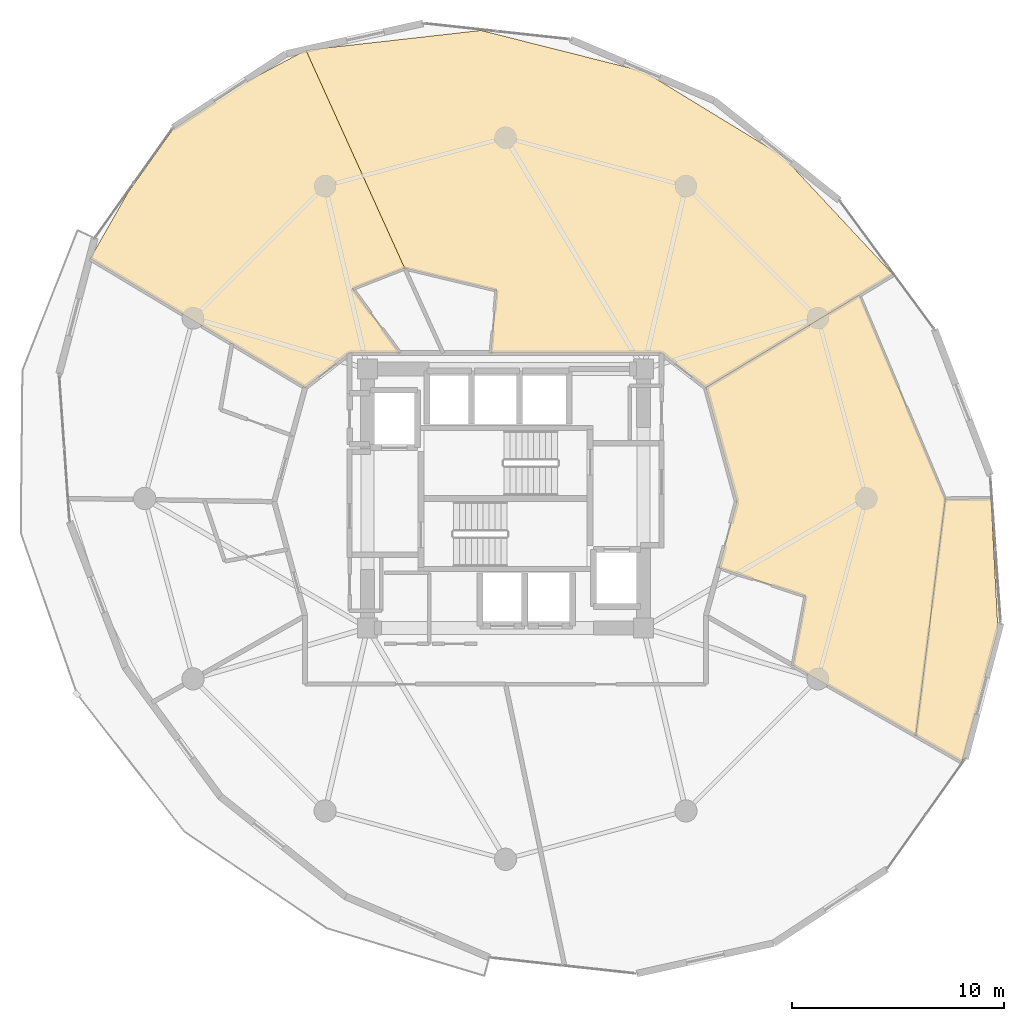
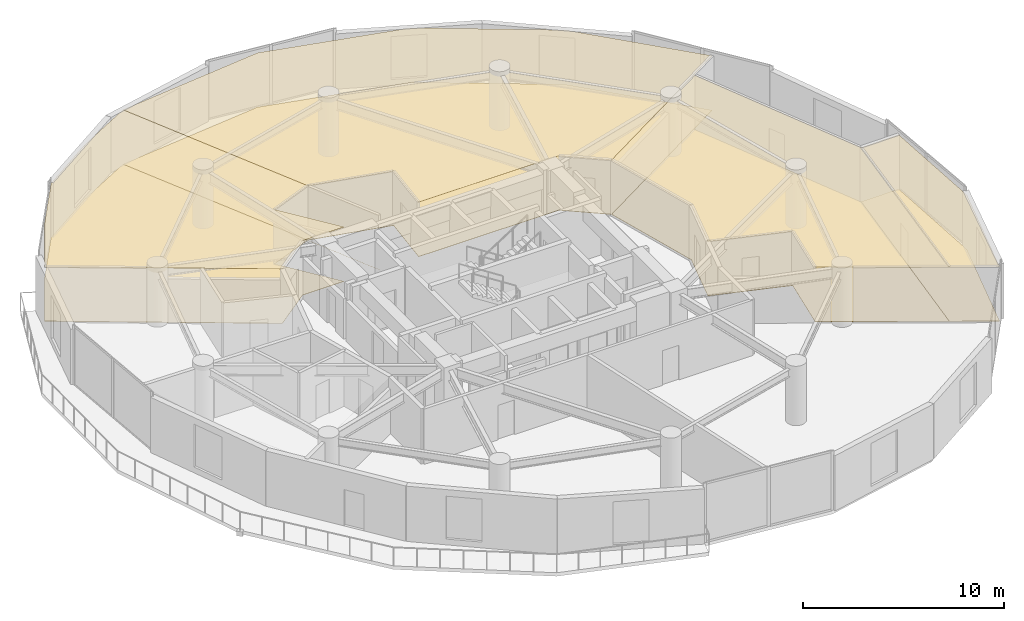
# One storey, part 22 of 22: 8 coverings.
"""IFC4 building model written with IfcOpenShell, lengths in metres."""

from ifc_helpers import new_model, si_unit, direction, frame, origin, place, context, subcontext, project, spatial, polyline, outline, extrude, material, layer, layer_set, type_object, element, save


model = new_model("IFC4")

# Units and contexts
model_context = context("Model", 3, precision=1e-05, world=origin(), true_north=direction((0.0, 1.0)))
body_context = subcontext(model_context, "Body", "Model", "MODEL_VIEW")
ifc_project = project(units=[si_unit("LENGTHUNIT", "METRE"), si_unit("AREAUNIT", "SQUARE_METRE"), si_unit("VOLUMEUNIT", "CUBIC_METRE"), si_unit("PLANEANGLEUNIT", "RADIAN"), si_unit("MASSUNIT", "GRAM", prefix="KILO")], contexts=[model_context])

# Site, building, storey
site_placement = place(None, origin())
site = spatial("IfcSite", under=ifc_project, at=site_placement, CompositionType="ELEMENT")
building_placement = place(site_placement, origin())
building = spatial("IfcBuilding", under=site, at=building_placement, Name="Solvirekh Grand Hotel", CompositionType="ELEMENT")
storey_placement = place(building_placement, frame((0.0, 0.0, 149.39990234375)))
storey = spatial("IfcBuildingStorey", under=building, at=storey_placement, Name="L38", CompositionType="ELEMENT", Elevation=149.39990234375)

# Coverings
ifc_material_1 = material(Name="Acoustic Mineral Ceiling Tile")
ifc_layer_1 = layer(ifc_material_1, 0.02490234375)
ifc_layer_set_1 = layer_set([ifc_layer_1], Name="Acoustic Mineral Ceiling Tile")
covering_type_1 = type_object("IfcCoveringType", Name="Cov_Ceiling_Acoustic", PredefinedType="CEILING", material=ifc_layer_set_1)
covering_1_placement = place(storey_placement, frame((0.0, 0.0, 3.300048828125)))
element("IfcCovering", 1, at=covering_1_placement, inside=storey, type_object=covering_type_1, Name="L38 Panorama Suite 4001 acoustic ceiling", PredefinedType="CEILING", context=body_context, shape_type="SweptSolid", body=[
    extrude(outline(polyline([(-4.75, 10.845947265625), (-0.41796875, 9.81005859375), (-0.68994140625, 6.85009765625), (7.35009765625, 6.85009765625), (9.43994140625, 5.22509765625), (18.26611328125, 10.5458984375), (13.06005859375, 16.126953125), (6.534912109375, 20.112060546875), (-1.156005859375, 22.051025390625), (-9.404052734375, 21.12109375), (-4.75, 10.845947265625)])), origin(), (0.0, 0.0, 1.0), 0.01806640625),
])
covering_2_placement = place(storey_placement, frame((0.0, 0.0, 3.300048828125)))
element("IfcCovering", 2, at=covering_2_placement, inside=storey, type_object=covering_type_1, Name="L38 Deluxe Guestroom 4002 acoustic ceiling", PredefinedType="CEILING", context=body_context, shape_type="SweptSolid", body=[
    extrude(outline(polyline([(-4.968994140625, 6.85009765625), (-7.20703125, 9.883056640625), (-4.75, 10.845947265625), (-2.93994140625, 6.85009765625), (-9.404052734375, 21.12109375), (-12.611083984375, 19.419921875), (-15.6689453125, 17.402099609375), (-17.7919921875, 14.406982421875), (-19.570068359375, 11.299072265625), (-9.43994140625, 5.22509765625), (-7.35009765625, 6.85009765625), (-4.968994140625, 6.85009765625)])), origin(), (0.0, 0.0, 1.0), 0.01806640625),
])
covering_3_placement = place(storey_placement, frame((0.0, 0.0, 3.300048828125)))
element("IfcCovering", 3, at=covering_3_placement, inside=storey, type_object=covering_type_1, Name="L38 Executive Suite 4005 Living Room acoustic ceiling", PredefinedType="CEILING", context=body_context, shape_type="SweptSolid", body=[
    extrude(outline(polyline([(14.14208984375, -4.60498046875), (13.5419921875, -7.867919921875), (19.33203125, -11.176025390625), (20.719970703125, -0.027099609375), (16.677001953125, 9.587890625), (9.43994140625, 5.22509765625), (10.89990234375, -0.14990234375), (10.052978515625, -3.26806640625), (14.14208984375, -4.60498046875)])), origin(), (0.0, 0.0, 1.0), 0.01806640625),
])
covering_4_placement = place(storey_placement, frame((0.0, 0.0, 3.300048828125)))
element("IfcCovering", 4, at=covering_4_placement, inside=storey, type_object=covering_type_1, Name="L38 Executive Suite 4005 Master Bedroom acoustic ceiling", PredefinedType="CEILING", context=body_context, shape_type="SweptSolid", body=[
    extrude(outline(polyline([(21.50390625, -12.416015625), (23.200927734375, -6.217041015625), (22.8759765625, 0.0), (20.719970703125, -0.027099609375), (19.33203125, -11.176025390625), (21.50390625, -12.416015625)])), origin(), (0.0, 0.0, 1.0), 0.01806640625),
])
ifc_material_2 = material(Name="Porcelain Stoneware Flooring", Category="masonry")
ifc_layer_2 = layer(ifc_material_2, 0.030029296875)
ifc_layer_set_2 = layer_set([ifc_layer_2], Name="Porcelain Stoneware Flooring")
covering_type_2 = type_object("IfcCoveringType", Name="Cov_Floor_Stone", PredefinedType="FLOORING", material=ifc_layer_set_2)
covering_5_placement = place(storey_placement, origin())
element("IfcCovering", 5, at=covering_5_placement, inside=storey, type_object=covering_type_2, Name="L38 Panorama Suite 4001 polished granite flooring", PredefinedType="FLOORING", context=body_context, shape_type="SweptSolid", body=[
    extrude(outline(polyline([(-4.75, 10.845947265625), (-0.41796875, 9.81005859375), (-0.68994140625, 6.85009765625), (7.35009765625, 6.85009765625), (9.43994140625, 5.22509765625), (18.26611328125, 10.5458984375), (13.06005859375, 16.126953125), (6.534912109375, 20.112060546875), (-1.156005859375, 22.051025390625), (-9.404052734375, 21.12109375), (-4.75, 10.845947265625)])), origin(), (0.0, 0.0, 1.0), 0.02001953125),
])
covering_6_placement = place(storey_placement, origin())
element("IfcCovering", 6, at=covering_6_placement, inside=storey, type_object=covering_type_2, Name="L38 Deluxe Guestroom 4002 polished granite flooring", PredefinedType="FLOORING", context=body_context, shape_type="SweptSolid", body=[
    extrude(outline(polyline([(-4.968994140625, 6.85009765625), (-7.20703125, 9.883056640625), (-4.75, 10.845947265625), (-2.93994140625, 6.85009765625), (-9.404052734375, 21.12109375), (-12.611083984375, 19.419921875), (-15.6689453125, 17.402099609375), (-17.7919921875, 14.406982421875), (-19.570068359375, 11.299072265625), (-9.43994140625, 5.22509765625), (-7.35009765625, 6.85009765625), (-4.968994140625, 6.85009765625)])), origin(), (0.0, 0.0, 1.0), 0.02001953125),
])
covering_7_placement = place(storey_placement, origin())
element("IfcCovering", 7, at=covering_7_placement, inside=storey, type_object=covering_type_2, Name="L38 Executive Suite 4005 Living Room polished granite flooring", PredefinedType="FLOORING", context=body_context, shape_type="SweptSolid", body=[
    extrude(outline(polyline([(14.14208984375, -4.60498046875), (13.5419921875, -7.867919921875), (19.33203125, -11.176025390625), (20.719970703125, -0.027099609375), (16.677001953125, 9.587890625), (9.43994140625, 5.22509765625), (10.89990234375, -0.14990234375), (10.052978515625, -3.26806640625), (14.14208984375, -4.60498046875)])), origin(), (0.0, 0.0, 1.0), 0.02001953125),
])
covering_8_placement = place(storey_placement, origin())
element("IfcCovering", 8, at=covering_8_placement, inside=storey, type_object=covering_type_2, Name="L38 Executive Suite 4005 Master Bedroom polished granite flooring", PredefinedType="FLOORING", context=body_context, shape_type="SweptSolid", body=[
    extrude(outline(polyline([(21.50390625, -12.416015625), (23.200927734375, -6.217041015625), (22.8759765625, 0.0), (20.719970703125, -0.027099609375), (19.33203125, -11.176025390625), (21.50390625, -12.416015625)])), origin(), (0.0, 0.0, 1.0), 0.02001953125),
])

save(model, "model.ifc")
